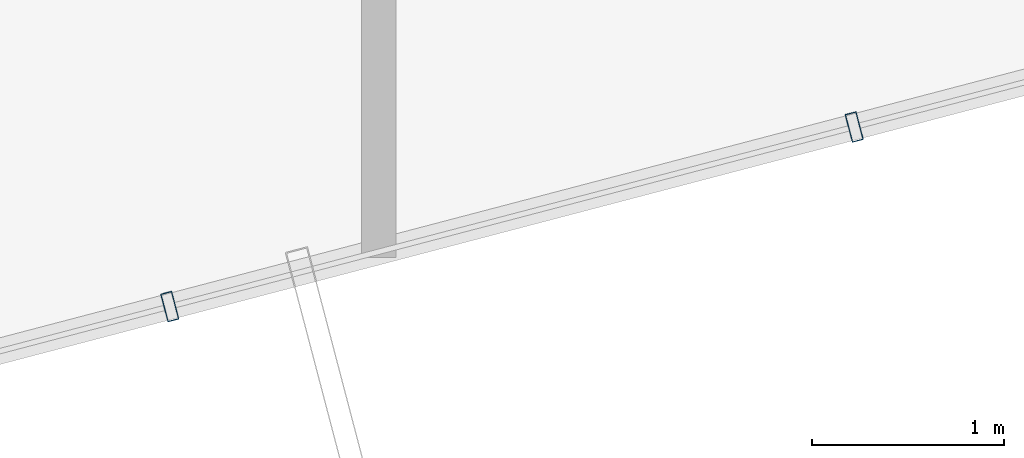
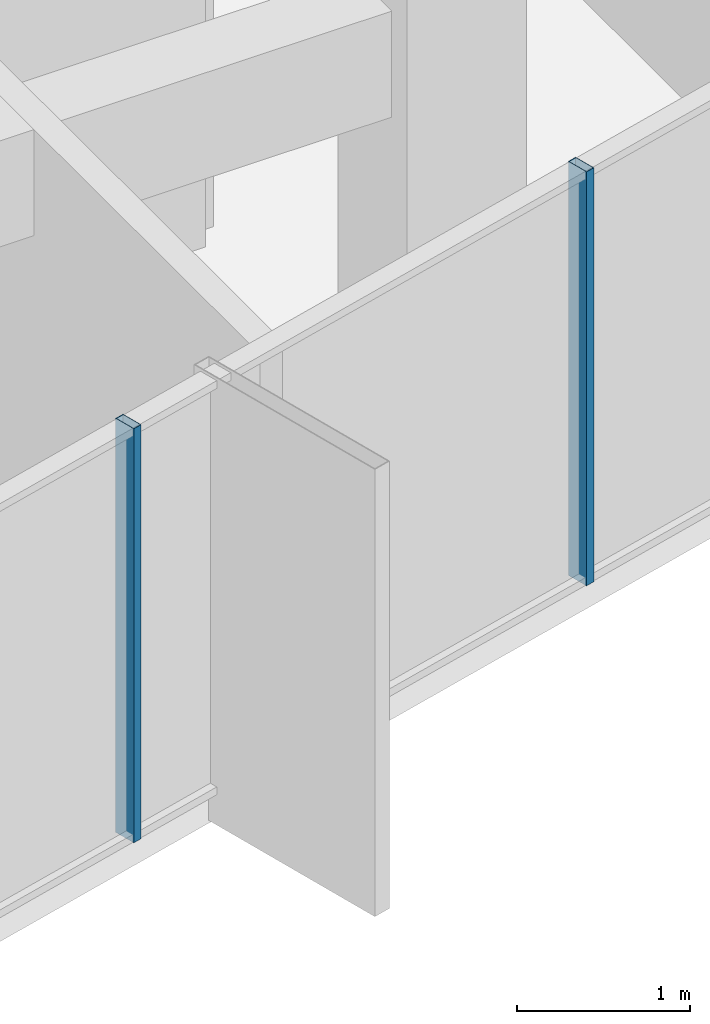
# One storey, part 8 of 29: 2 members, 1 element without a shape of its own.
"""IFC4 building model written with IfcOpenShell, lengths in metres."""

from ifc_helpers import new_model, si_unit, direction, frame, origin, origin_2d, place, context, subcontext, project, spatial, hollow_rectangle, extrude, source, transform, mapped, material, layer, layer_set, material_profile, profile_set, type_object, element, aggregate, save


model = new_model("IFC4")

# Units and contexts
model_context = context("Model", 3, precision=1e-05, world=origin(), true_north=direction((0.0, 1.0)))
body_context = subcontext(model_context, "Body", "Model", "MODEL_VIEW")
ifc_project = project(units=[si_unit("LENGTHUNIT", "METRE"), si_unit("AREAUNIT", "SQUARE_METRE"), si_unit("VOLUMEUNIT", "CUBIC_METRE"), si_unit("PLANEANGLEUNIT", "RADIAN"), si_unit("MASSUNIT", "GRAM", prefix="KILO")], contexts=[model_context])

# Site, building, storey
site_placement = place(None, origin())
site = spatial("IfcSite", under=ifc_project, at=site_placement, CompositionType="ELEMENT")
building_placement = place(site_placement, origin())
building = spatial("IfcBuilding", under=site, at=building_placement, Name="Veraguas Prism Commons", CompositionType="ELEMENT")
storey_placement = place(building_placement, frame((0.0, 0.0, 261.0)))
storey = spatial("IfcBuildingStorey", under=building, at=storey_placement, Name="L74", CompositionType="ELEMENT", Elevation=261.0)

# Curtain wall, members
ifc_material = material(Name="Anodised aluminium EN AW-6063 T6", Category="aluminium")
ifc_layer = layer(ifc_material, 0.14990234375, Name="Unitised Flush Curtain Wall Zone 4", Category="aluminium")
ifc_layer_set = layer_set([ifc_layer], Name="Anodised aluminium EN AW-6063 T6")
curtain_wall_type = type_object("IfcCurtainWallType", Name="Unitised Flush Curtain Wall Zone 4", PredefinedType="NOTDEFINED", material=ifc_layer_set)
curtain_wall_placement = place(storey_placement, origin())
curtain_wall = element("IfcCurtainWall", 1, at=curtain_wall_placement, inside=storey, type_object=curtain_wall_type, Name="Tower Facade Curtain Wall L74-F5", PredefinedType="NOTDEFINED")
ifc_material_profile = material_profile(ifc_material, hollow_rectangle(XDim=0.06005859375, YDim=0.14990234375, WallThickness=0.0029296875, at=origin_2d()), Name="AL60X150X3")
ifc_profile_set = profile_set([ifc_material_profile], Name="Anodised aluminium EN AW-6063 T6")
member_type = type_object("IfcMemberType", Name="Curtain Wall Mullion Upper AL 60x150x3", PredefinedType="MULLION", material=ifc_profile_set)
shared_shape = source(origin(), body_context, "Body", "SweptSolid", [
    extrude(hollow_rectangle(XDim=0.06005859375, YDim=0.14990234375, WallThickness=0.0029296875, at=origin_2d()), origin(), (0.0, 0.0, 1.0), 2.929931640625),
])
member_1_placement = place(storey_placement, frame((24.604736328125, 7.147216796875, 0.0), z_axis=(0.0, 0.0, 1.0), x_axis=(0.967265981188, 0.253764697381, 0.0)))
member_1 = element("IfcMember", 2, at=member_1_placement, type_object=member_type, Name="CW-Z4 Mullion 2", PredefinedType="MULLION", context=body_context, shape_type="MappedRepresentation", body=[
    mapped(shared_shape, transform((0.0, 0.0, 0.0), scale=1.0)),
])
member_2_placement = place(storey_placement, frame((28.175537109375, 8.083984375, 0.0), z_axis=(0.0, 0.0, 1.0), x_axis=(0.967265981188, 0.253764697381, 0.0)))
member_2 = element("IfcMember", 3, at=member_2_placement, type_object=member_type, Name="CW-Z4 Mullion 3", PredefinedType="MULLION", context=body_context, shape_type="MappedRepresentation", body=[
    mapped(shared_shape, transform((0.0, 0.0, 0.0), scale=1.0)),
])
aggregate(curtain_wall, [member_1, member_2])

save(model, "model.ifc")
